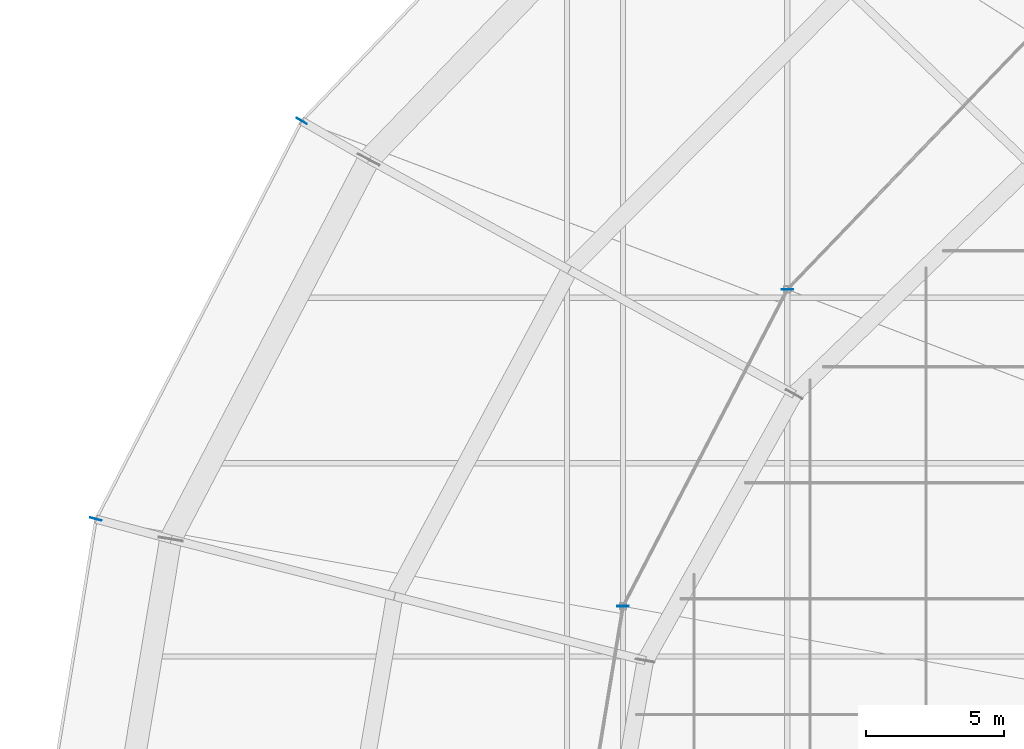
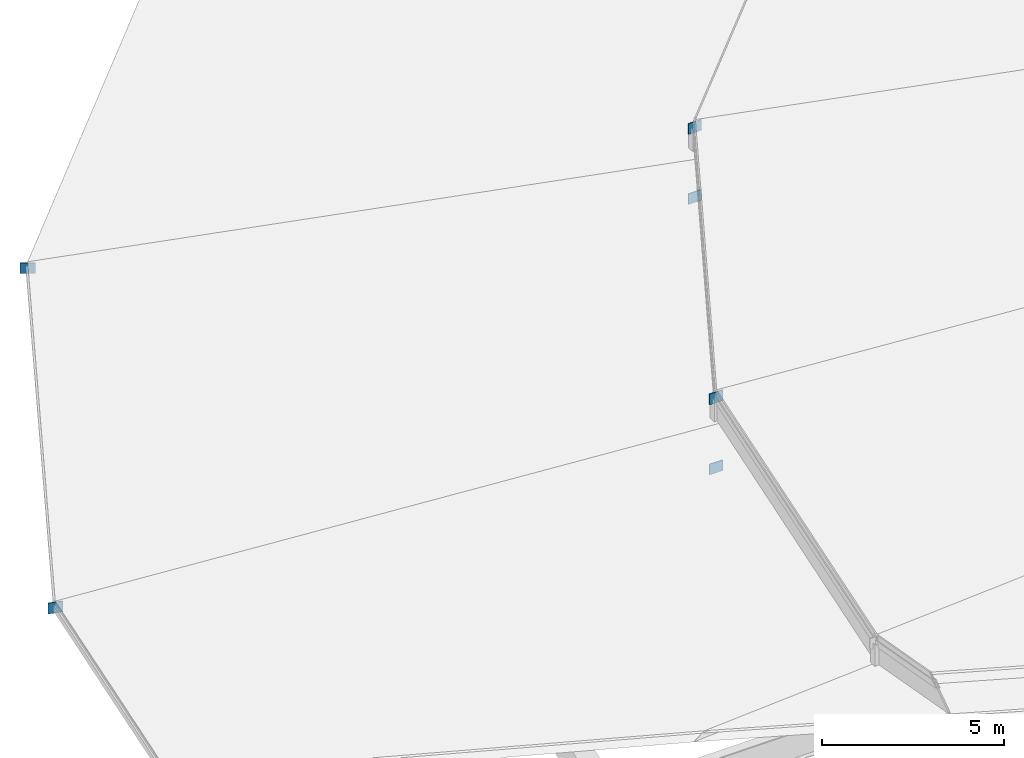
# One storey, part 170 of 184: 6 plates.
"""IFC4 building model written with IfcOpenShell, lengths in metres."""

from ifc_helpers import new_model, si_unit, direction, frame, origin, origin_2d, place, context, subcontext, project, spatial, rectangle, extrude, material, layer, layer_set, type_object, element, save


model = new_model("IFC4")

# Units and contexts
model_context = context("Model", 3, precision=1e-05, world=origin(), true_north=direction((0.0, 1.0)))
body_context = subcontext(model_context, "Body", "Model", "MODEL_VIEW")
ifc_project = project(units=[si_unit("LENGTHUNIT", "METRE"), si_unit("AREAUNIT", "SQUARE_METRE"), si_unit("VOLUMEUNIT", "CUBIC_METRE"), si_unit("PLANEANGLEUNIT", "RADIAN"), si_unit("MASSUNIT", "GRAM", prefix="KILO")], contexts=[model_context])

# Site, building, storey
site_placement = place(None, origin())
site = spatial("IfcSite", under=ifc_project, at=site_placement, CompositionType="ELEMENT")
building_placement = place(site_placement, origin())
building = spatial("IfcBuilding", under=site, at=building_placement, Name="Kalgoora Escarpment Arena", CompositionType="ELEMENT")
storey_placement = place(building_placement, frame((0.0, 0.0, 27.60009765625)))
storey = spatial("IfcBuildingStorey", under=building, at=storey_placement, Name="Roof Level", CompositionType="ELEMENT", Elevation=27.60009765625)

# Plates
ifc_material = material(Name="Structural steel Grade 350 (350 MPa)", Category="steel")
ifc_layer = layer(ifc_material, 0.02490234375)
ifc_layer_set = layer_set([ifc_layer], Name="PLT-GUSSET-25")
plate_type = type_object("IfcPlateType", Name="PLT-GUSSET-25", PredefinedType="USERDEFINED", material=ifc_layer_set)
for number, where, z_axis, x_axis, name in (
    (1, (27.79443359375, 93.89990234375, -1.18017578125), (0.0, 0.0, 1.0), (-0.866025403784, 0.5, 0.0), "Brace and post end gusset plate 165"),
    (2, (20.341796875, 79.477294921875, -1.18017578125), (0.0, 0.0, 1.0), (-0.965925826289, 0.258819045103, 0.0), "Brace and post end gusset plate 166"),
    (3, (45.385009765625, 87.800048828125, -1.26025390625), (0.0, 0.0, 1.0), (1.0, 0.0, 0.0), "Brace and post end gusset plate 199"),
    (4, (45.385009765625, 87.800048828125, 1.0849609375), (0.0, 0.0, 1.0), (1.0, 0.0, 0.0), "Brace and post end gusset plate 200"),
    (5, (39.430908203125, 76.31982421875, -1.26025390625), (0.0, 0.0, 1.0), (1.0, 0.0, 0.0), "Brace and post end gusset plate 201"),
    (6, (39.430908203125, 76.31982421875, 1.0849609375), (0.0, 0.0, 1.0), (1.0, 0.0, 0.0), "Brace and post end gusset plate 202"),
):
    element("IfcPlate", number, at=place(storey_placement, frame(where, z_axis=z_axis, x_axis=x_axis)), inside=storey, type_object=plate_type, Name=name, ObjectType="FLANGE PLATE", PredefinedType="USERDEFINED", context=body_context, shape_type="SweptSolid", body=[
        extrude(rectangle(XDim=0.419921875, YDim=0.02490234375, at=origin_2d()), origin(), (0.0, 0.0, 1.0), 0.360107421875),
    ])

save(model, "model.ifc")
